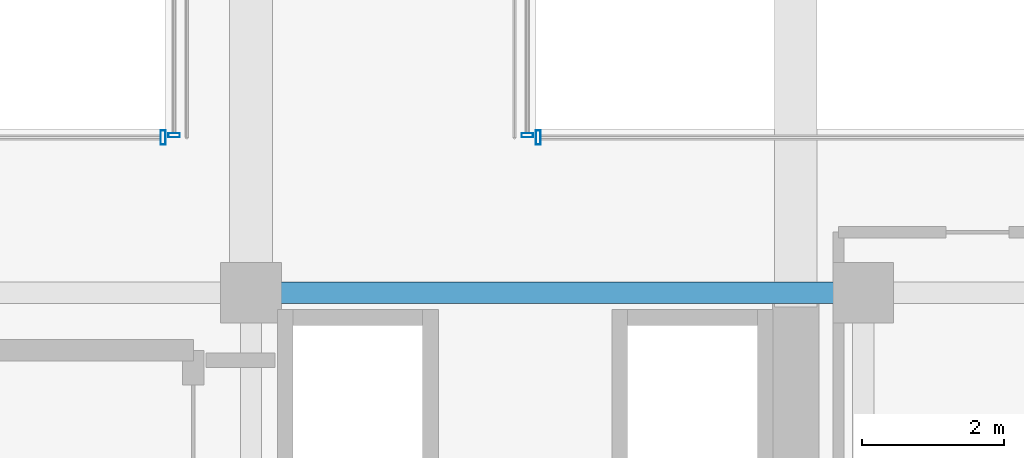
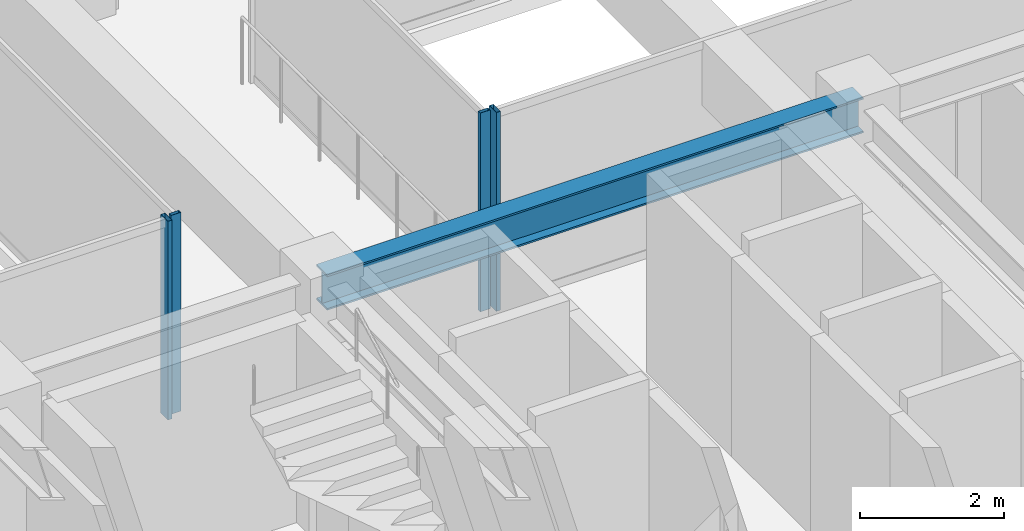
# One storey, part 18 of 41: 4 members, 1 beam, 4 elements without a shape of their own.
"""IFC4 building model written with IfcOpenShell, lengths in metres."""

from ifc_helpers import new_model, si_unit, direction, frame, origin, origin_2d, place, context, subcontext, project, spatial, hollow_rectangle, i_section, extrude, source, transform, mapped, material, material_profile, profile_set, type_object, element, aggregate, save


model = new_model("IFC4")

# Units and contexts
model_context = context("Model", 3, precision=1e-05, world=origin(), true_north=direction((0.0, 1.0)))
body_context = subcontext(model_context, "Body", "Model", "MODEL_VIEW")
ifc_project = project(units=[si_unit("LENGTHUNIT", "METRE"), si_unit("AREAUNIT", "SQUARE_METRE"), si_unit("VOLUMEUNIT", "CUBIC_METRE"), si_unit("PLANEANGLEUNIT", "RADIAN"), si_unit("MASSUNIT", "GRAM", prefix="KILO")], contexts=[model_context])

# Site, building, storey
site_placement = place(None, origin())
site = spatial("IfcSite", under=ifc_project, at=site_placement, CompositionType="ELEMENT")
building_placement = place(site_placement, origin())
building = spatial("IfcBuilding", under=site, at=building_placement, Name="Nahalor Promenade Grand Hotel", CompositionType="ELEMENT")
storey_placement = place(building_placement, frame((0.0, 0.0, 54.300048828125)))
storey = spatial("IfcBuildingStorey", under=building, at=storey_placement, Name="L12", CompositionType="ELEMENT", Elevation=54.300048828125)

# Beam
ifc_material_1 = material(Name="Steel S355JR", Category="steel")
ifc_material_profile_1 = material_profile(ifc_material_1, i_section(OverallWidth=0.3, OverallDepth=0.6, WebThickness=0.0155, FlangeThickness=0.03, at=origin_2d()), Name="HEB 600")
ifc_profile_set_1 = profile_set([ifc_material_profile_1], Name="Steel S355JR")
beam_type = type_object("IfcBeamType", Name="Beam-Girder-HEB600", PredefinedType="BEAM", material=ifc_profile_set_1)
shared_shape_1 = source(origin(), body_context, "Body", "SweptSolid", [
    extrude(i_section(OverallWidth=0.3, OverallDepth=0.6, WebThickness=0.0155, FlangeThickness=0.03, at=origin_2d()), origin(), (0.0, 0.0, 1.0), 8.60009765625),
])
beam_placement = place(storey_placement, frame((8.39990234375, -5.39990234375, 3.070068359375), z_axis=(1.0, 0.0, 0.0), x_axis=(0.0, 1.0, 0.0)))
element("IfcBeam", 1, at=beam_placement, inside=storey, type_object=beam_type, Name="BM-L12-GX-1-5", PredefinedType="BEAM", context=body_context, shape_type="MappedRepresentation", body=[
    mapped(shared_shape_1, transform((0.0, 0.0, 0.0), scale=1.0)),
])

# Curtain wall, member
ifc_material_2 = material(Name="Anodised Bronze Aluminium EN AW-6063 T6", Category="aluminium")
curtain_wall_type_1 = type_object("IfcCurtainWallType", Name="CW3 Elliptical-Void Collar Unitised Curtain Wall", PredefinedType="USERDEFINED", material=ifc_material_2)
curtain_wall_1_placement = place(storey_placement, origin())
curtain_wall_1 = element("IfcCurtainWall", 2, at=curtain_wall_1_placement, inside=storey, type_object=curtain_wall_type_1, Name="L12 Curtain Wall CW-L12-VOID-WS1", ObjectType="UNITISED_CURTAIN_WALL", PredefinedType="USERDEFINED")
ifc_material_profile_2 = material_profile(ifc_material_2, hollow_rectangle(XDim=0.07, YDim=0.2, WallThickness=0.005, at=origin_2d()), Name="CWM 70x200x5")
ifc_profile_set_2 = profile_set([ifc_material_profile_2], Name="Anodised Bronze Aluminium EN AW-6063 T6")
member_type_1 = type_object("IfcMemberType", Name="CWM3 Void Collar Mullion 70x200", PredefinedType="MULLION", material=ifc_profile_set_2)
shared_shape_2 = source(origin(), body_context, "Body", "SweptSolid", [
    extrude(hollow_rectangle(XDim=0.07, YDim=0.2, WallThickness=0.005, at=origin_2d()), origin(), (0.0, 0.0, 1.0), 3.369873046875),
])
member_1_placement = place(storey_placement, frame((7.1650390625, -3.219970703125, 0.0), z_axis=(0.0, 0.0, 1.0), x_axis=(1.0, 0.0, 0.0)))
member_1 = element("IfcMember", 3, at=member_1_placement, type_object=member_type_1, Name="CW-L12-VOID-WS1 Mullion 3", PredefinedType="MULLION", context=body_context, shape_type="MappedRepresentation", body=[
    mapped(shared_shape_2, transform((0.0, 0.0, 0.0), scale=1.0)),
])
aggregate(curtain_wall_1, [member_1])

curtain_wall_2_placement = place(storey_placement, origin())
curtain_wall_2 = element("IfcCurtainWall", 4, at=curtain_wall_2_placement, inside=storey, type_object=curtain_wall_type_1, Name="L12 Curtain Wall CW-L12-VOID-ES1", ObjectType="UNITISED_CURTAIN_WALL", PredefinedType="USERDEFINED")
member_2_placement = place(storey_placement, frame((12.43505859375, -3.219970703125, 0.0), z_axis=(0.0, 0.0, 1.0), x_axis=(1.0, 0.0, 0.0)))
member_2 = element("IfcMember", 5, at=member_2_placement, type_object=member_type_1, Name="CW-L12-VOID-ES1 Mullion 0", PredefinedType="MULLION", context=body_context, shape_type="MappedRepresentation", body=[
    mapped(shared_shape_2, transform((0.0, 0.0, 0.0), scale=1.0)),
])
aggregate(curtain_wall_2, [member_2])

curtain_wall_type_2 = type_object("IfcCurtainWallType", Name="CW4 Low-Iron Sky-Gallery Bridge Curtain Wall", PredefinedType="USERDEFINED", material=ifc_material_2)
curtain_wall_3_placement = place(storey_placement, origin())
curtain_wall_3 = element("IfcCurtainWall", 6, at=curtain_wall_3_placement, inside=storey, type_object=curtain_wall_type_2, Name="L12 Curtain Wall CW-L12-BRG-W", ObjectType="UNITISED_CURTAIN_WALL", PredefinedType="USERDEFINED")
ifc_material_profile_3 = material_profile(ifc_material_2, hollow_rectangle(XDim=0.06, YDim=0.16, WallThickness=0.004, at=origin_2d()), Name="CWM 60x160x4")
ifc_profile_set_3 = profile_set([ifc_material_profile_3], Name="Anodised Bronze Aluminium EN AW-6063 T6")
member_type_2 = type_object("IfcMemberType", Name="CWM4 Sky-Gallery Slim Mullion 60x160", PredefinedType="MULLION", material=ifc_profile_set_3)
shared_shape_3 = source(origin(), body_context, "Body", "SweptSolid", [
    extrude(hollow_rectangle(XDim=0.06, YDim=0.16, WallThickness=0.004, at=origin_2d()), origin(), (0.0, 0.0, 1.0), 3.369873046875),
])
member_3_placement = place(storey_placement, frame((7.320068359375, -3.18994140625, 0.0), z_axis=(0.0, 0.0, 1.0), x_axis=(0.0, 1.0, 0.0)))
member_3 = element("IfcMember", 7, at=member_3_placement, type_object=member_type_2, Name="CW-L12-BRG-W Mullion 0", PredefinedType="MULLION", context=body_context, shape_type="MappedRepresentation", body=[
    mapped(shared_shape_3, transform((0.0, 0.0, 0.0), scale=1.0)),
])
aggregate(curtain_wall_3, [member_3])

curtain_wall_4_placement = place(storey_placement, origin())
curtain_wall_4 = element("IfcCurtainWall", 8, at=curtain_wall_4_placement, inside=storey, type_object=curtain_wall_type_2, Name="L12 Curtain Wall CW-L12-BRG-E", ObjectType="UNITISED_CURTAIN_WALL", PredefinedType="USERDEFINED")
member_4_placement = place(storey_placement, frame((12.280029296875, -3.18994140625, 0.0), z_axis=(0.0, 0.0, 1.0), x_axis=(0.0, 1.0, 0.0)))
member_4 = element("IfcMember", 9, at=member_4_placement, type_object=member_type_2, Name="CW-L12-BRG-E Mullion 0", PredefinedType="MULLION", context=body_context, shape_type="MappedRepresentation", body=[
    mapped(shared_shape_3, transform((0.0, 0.0, 0.0), scale=1.0)),
])
aggregate(curtain_wall_4, [member_4])

save(model, "model.ifc")
